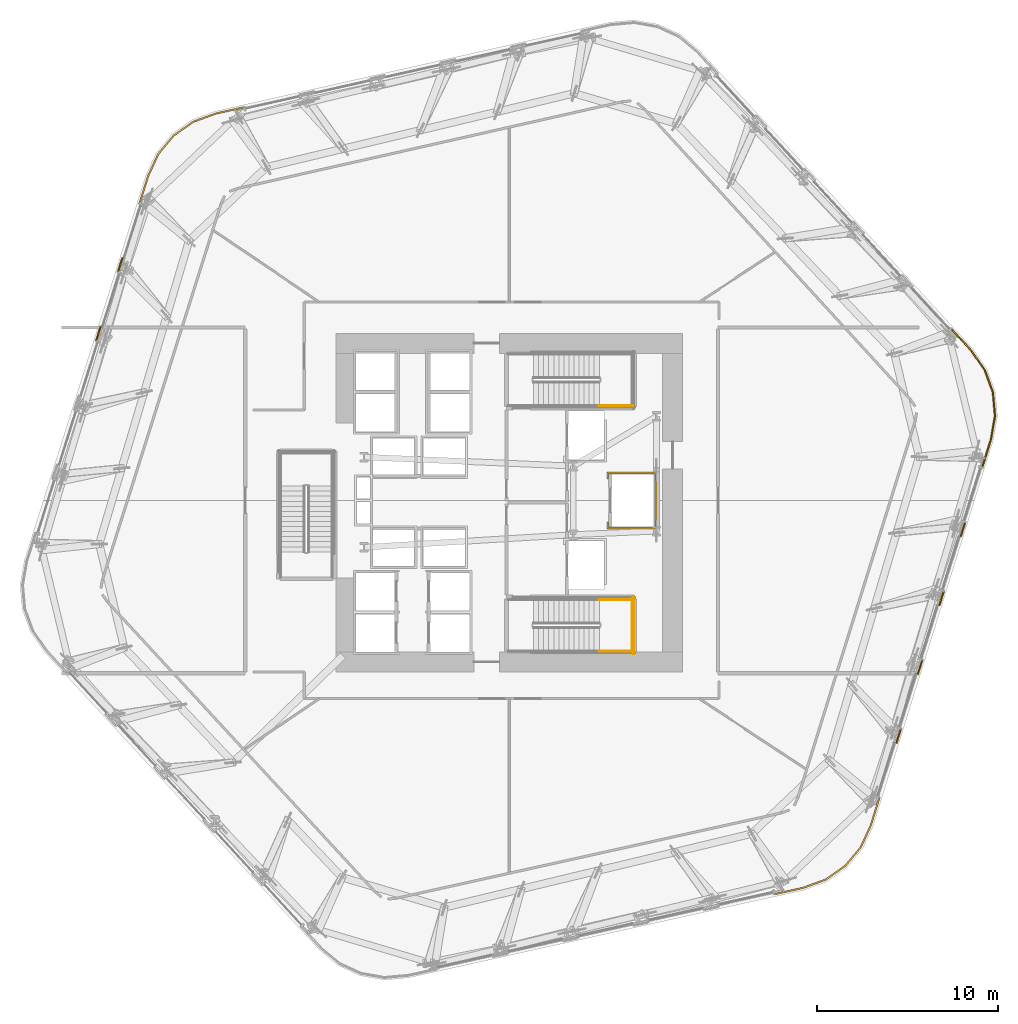
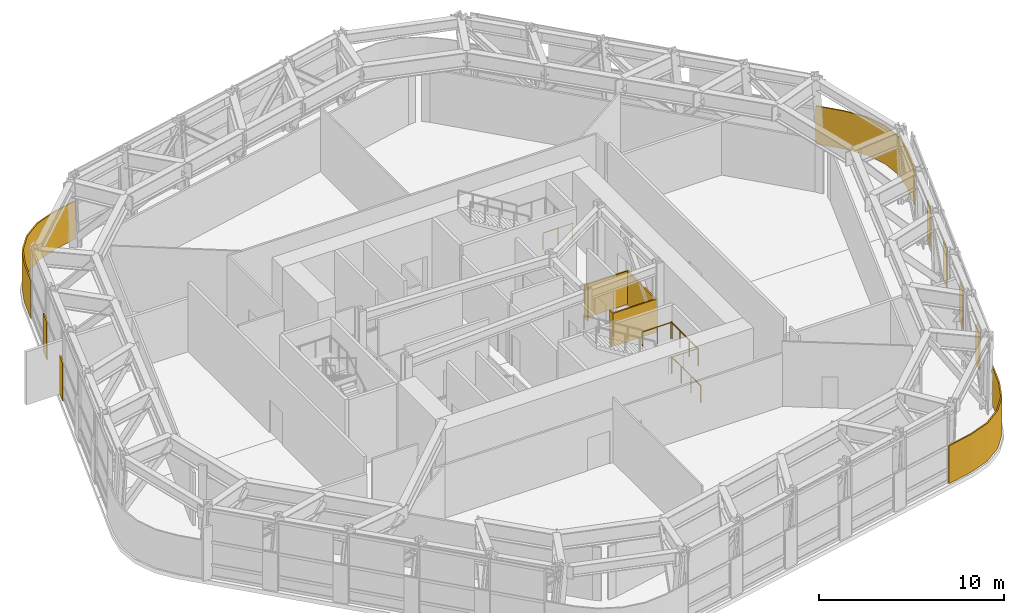
# One storey, part 14 of 16: 10 coverings, 5 railings.
"""IFC4 building model written with IfcOpenShell, lengths in metres."""

from ifc_helpers import new_model, si_unit, direction, frame, origin, origin_2d, place, context, subcontext, project, spatial, polyline, circle, outline, extrude, material, layer, layer_set, type_object, element, save


model = new_model("IFC4")

# Units and contexts
model_context = context("Model", 3, precision=1e-05, world=origin(), true_north=direction((0.0, 1.0)))
body_context = subcontext(model_context, "Body", "Model", "MODEL_VIEW")
ifc_project = project(units=[si_unit("LENGTHUNIT", "METRE"), si_unit("AREAUNIT", "SQUARE_METRE"), si_unit("VOLUMEUNIT", "CUBIC_METRE"), si_unit("PLANEANGLEUNIT", "RADIAN"), si_unit("MASSUNIT", "GRAM", prefix="KILO")], contexts=[model_context])

# Site, building, storey
site_placement = place(None, origin())
site = spatial("IfcSite", under=ifc_project, at=site_placement, CompositionType="ELEMENT")
building_placement = place(site_placement, origin())
building = spatial("IfcBuilding", under=site, at=building_placement, Name="Valkerne Bourse Tower", CompositionType="ELEMENT")
storey_placement = place(building_placement, frame((0.0, 0.0, 77.199951171875)))
storey = spatial("IfcBuildingStorey", under=building, at=storey_placement, Name="L19", CompositionType="ELEMENT", Elevation=77.199951171875)

# Coverings
ifc_material_1 = material(Name="Bronze Anodised Aluminium AA 6063-T6", Category="aluminium")
ifc_layer_1 = layer(ifc_material_1, 0.06005859375)
ifc_layer_set_1 = layer_set([ifc_layer_1], Name="Bronze Anodised Aluminium AA 6063-T6")
covering_type_1 = type_object("IfcCoveringType", Name="COV-CRN-ALUM", PredefinedType="CLADDING", material=ifc_layer_set_1)
covering_1_placement = place(storey_placement, origin())
element("IfcCovering", 1, at=covering_1_placement, inside=storey, type_object=covering_type_1, Name="L19 Wind-Shaped Corner Aluminium Cladding 01", PredefinedType="CLADDING", context=body_context, shape_type="SweptSolid", body=[
    extrude(outline(polyline([(66.2958984375, 7.748046875), (65.442138671875, 6.726806640625), (64.35302734375, 5.96142578125), (63.096923828125, 5.501708984375), (61.4912109375, 5.14599609375), (61.4736328125, 5.22412109375), (63.074462890625, 5.57861328125), (64.315673828125, 6.032958984375), (65.387451171875, 6.7861328125), (66.227783203125, 7.791259765625), (66.784423828125, 8.990234375), (67.271728515625, 10.5556640625), (67.34814453125, 10.531494140625), (66.859130859375, 8.96142578125), (66.2958984375, 7.748046875)])), origin(), (0.0, 0.0, 1.0), 2.5),
])
covering_2_placement = place(storey_placement, origin())
element("IfcCovering", 2, at=covering_2_placement, inside=storey, type_object=covering_type_1, Name="L19 Wind-Shaped Corner Aluminium Cladding 14", PredefinedType="CLADDING", context=body_context, shape_type="SweptSolid", body=[
    extrude(outline(polyline([(24.1337890625, 36.63720703125), (24.210205078125, 36.61328125), (23.95751953125, 35.81201171875), (23.881103515625, 35.836181640625), (24.1337890625, 36.63720703125)])), origin(), (0.0, 0.0, 1.0), 2.5),
])
covering_3_placement = place(storey_placement, origin())
element("IfcCovering", 3, at=covering_3_placement, inside=storey, type_object=covering_type_1, Name="L19 Wind-Shaped Corner Aluminium Cladding 15", PredefinedType="CLADDING", context=body_context, shape_type="SweptSolid", body=[
    extrude(outline(polyline([(25.335693359375, 40.447998046875), (25.411865234375, 40.42431640625), (25.1591796875, 39.623046875), (25.0830078125, 39.64697265625), (25.335693359375, 40.447998046875)])), origin(), (0.0, 0.0, 1.0), 2.5),
])
covering_4_placement = place(storey_placement, origin())
element("IfcCovering", 4, at=covering_4_placement, inside=storey, type_object=covering_type_1, Name="L19 Wind-Shaped Corner Aluminium Cladding 16", PredefinedType="CLADDING", context=body_context, shape_type="SweptSolid", body=[
    extrude(outline(polyline([(26.772216796875, 45.004150390625), (27.335693359375, 46.217529296875), (28.189453125, 47.23876953125), (29.278564453125, 48.004150390625), (30.534912109375, 48.464111328125), (32.1162109375, 48.820556640625), (32.1337890625, 48.742431640625), (30.5576171875, 48.38720703125), (29.31591796875, 47.9326171875), (28.244140625, 47.179443359375), (27.40380859375, 46.17431640625), (26.84716796875, 44.97509765625), (26.361083984375, 43.43408203125), (26.284912109375, 43.4580078125), (26.772216796875, 45.004150390625)])), origin(), (0.0, 0.0, 1.0), 2.5),
])
covering_5_placement = place(storey_placement, origin())
element("IfcCovering", 5, at=covering_5_placement, inside=storey, type_object=covering_type_1, Name="L19 Wind-Shaped Corner Aluminium Cladding 26", PredefinedType="CLADDING", context=body_context, shape_type="SweptSolid", body=[
    extrude(outline(polyline([(72.40576171875, 35.34228515625), (73.175048828125, 34.247802734375), (73.632568359375, 32.997802734375), (73.750732421875, 31.671875), (73.520751953125, 30.35400390625), (73.038818359375, 28.80615234375), (72.96240234375, 28.830078125), (73.44287109375, 30.372802734375), (73.670166015625, 31.67529296875), (73.5537109375, 32.980224609375), (73.103515625, 34.21044921875), (72.34326171875, 35.292236328125), (71.251708984375, 36.4833984375), (71.310791015625, 36.53759765625), (72.40576171875, 35.34228515625)])), origin(), (0.0, 0.0, 1.0), 2.5),
])
covering_6_placement = place(storey_placement, origin())
element("IfcCovering", 6, at=covering_6_placement, inside=storey, type_object=covering_type_1, Name="L19 Wind-Shaped Corner Aluminium Cladding 27", PredefinedType="CLADDING", context=body_context, shape_type="SweptSolid", body=[
    extrude(outline(polyline([(71.8505859375, 24.99072265625), (71.7744140625, 25.0146484375), (72.024169921875, 25.81689453125), (72.1005859375, 25.792724609375), (71.8505859375, 24.99072265625)])), origin(), (0.0, 0.0, 1.0), 2.5),
])
covering_7_placement = place(storey_placement, origin())
element("IfcCovering", 7, at=covering_7_placement, inside=storey, type_object=covering_type_1, Name="L19 Wind-Shaped Corner Aluminium Cladding 28", PredefinedType="CLADDING", context=body_context, shape_type="SweptSolid", body=[
    extrude(outline(polyline([(70.66259765625, 21.175537109375), (70.586181640625, 21.199462890625), (70.836181640625, 22.00146484375), (70.912353515625, 21.9775390625), (70.66259765625, 21.175537109375)])), origin(), (0.0, 0.0, 1.0), 2.5),
])
covering_8_placement = place(storey_placement, origin())
element("IfcCovering", 8, at=covering_8_placement, inside=storey, type_object=covering_type_1, Name="L19 Wind-Shaped Corner Aluminium Cladding 29", PredefinedType="CLADDING", context=body_context, shape_type="SweptSolid", body=[
    extrude(outline(polyline([(69.474609375, 17.360107421875), (69.398193359375, 17.384033203125), (69.64794921875, 18.186279296875), (69.724365234375, 18.162109375), (69.474609375, 17.360107421875)])), origin(), (0.0, 0.0, 1.0), 2.5),
])
covering_9_placement = place(storey_placement, origin())
element("IfcCovering", 9, at=covering_9_placement, inside=storey, type_object=covering_type_1, Name="L19 Wind-Shaped Corner Aluminium Cladding 30", PredefinedType="CLADDING", context=body_context, shape_type="SweptSolid", body=[
    extrude(outline(polyline([(68.28662109375, 13.544921875), (68.210205078125, 13.56884765625), (68.4599609375, 14.370849609375), (68.536376953125, 14.346923828125), (68.28662109375, 13.544921875)])), origin(), (0.0, 0.0, 1.0), 2.5),
])
ifc_material_2 = material(Name="Gypsum Shaftwall Liner Board", Category="gypsum")
ifc_layer_2 = layer(ifc_material_2, 0.080078125)
ifc_layer_set_2 = layer_set([ifc_layer_2], Name="Gypsum Shaftwall Liner Board")
covering_type_2 = type_object("IfcCoveringType", Name="COV-SHF-CLAD", PredefinedType="CLADDING", material=ifc_layer_set_2)
covering_10_placement = place(storey_placement, origin())
element("IfcCovering", 10, at=covering_10_placement, inside=storey, type_object=covering_type_2, Name="L19 Hoistway & Riser Shaftwall Liner 08", PredefinedType="CLADDING", context=body_context, shape_type="SweptSolid", body=[
    extrude(outline(polyline([(54.97998046875, 25.419921875), (52.219970703125, 25.419921875), (52.219970703125, 25.81787109375), (52.227783203125, 25.814208984375), (52.269287109375, 25.79931640625), (52.31005859375, 25.789306640625), (52.31005859375, 25.510009765625), (54.889892578125, 25.510009765625), (54.889892578125, 28.489990234375), (52.31005859375, 28.489990234375), (52.31005859375, 28.210693359375), (52.269287109375, 28.20068359375), (52.227783203125, 28.185791015625), (52.219970703125, 28.18212890625), (52.219970703125, 28.580078125), (54.97998046875, 28.580078125), (54.97998046875, 25.419921875)])), origin(), (0.0, 0.0, 1.0), 2.179931640625),
])

# Railings
ifc_material_3 = material(Name="Galvanised Painted Steel", Category="steel")
railing_type = type_object("IfcRailingType", Name="RLG-ST-GUARD-1120", PredefinedType="GUARDRAIL", material=ifc_material_3)
for number, where, name in (
    (11, (51.7900390625, 18.64990234375, 2.400146484375), "L19 ST-1 stair guard 3"),
    (12, (51.7900390625, 21.5, 2.400146484375), "L19 ST-1 stair guard 4"),
):
    element("IfcRailing", number, at=place(storey_placement, frame(where)), inside=storey, type_object=railing_type, Name=name, PredefinedType="GUARDRAIL", context=body_context, shape_type="SweptSolid", body=[
        extrude(circle(Radius=0.02392578125, at=origin_2d()), frame((0.0, 0.0, 1.09619140625), z_axis=(1.0, 0.0, 0.0), x_axis=(0.0, 1.0, 0.0)), (0.0, 0.0, 1.0), 1.85986328125),
        extrude(circle(Radius=0.02099609375, at=origin_2d()), origin(), (0.0, 0.0, 1.0), 1.072021484375),
        extrude(circle(Radius=0.02099609375, at=origin_2d()), frame((0.929931640625, 0.0, 0.0)), (0.0, 0.0, 1.0), 1.072021484375),
        extrude(circle(Radius=0.02099609375, at=origin_2d()), frame((1.85986328125, 0.0, 0.0)), (0.0, 0.0, 1.0), 1.072021484375),
    ])
railing_1_placement = place(storey_placement, frame((53.60009765625, 18.60009765625, 2.400146484375)))
element("IfcRailing", 13, at=railing_1_placement, inside=storey, type_object=railing_type, Name="L19 ST-1 stair guard 5", PredefinedType="GUARDRAIL", context=body_context, shape_type="SweptSolid", body=[
    extrude(circle(Radius=0.02392578125, at=origin_2d()), frame((0.0, 0.0, 1.09619140625), z_axis=(0.0, 1.0, 0.0), x_axis=(-1.0, 0.0, 0.0)), (0.0, 0.0, 1.0), 2.949951171875),
    extrude(circle(Radius=0.02099609375, at=origin_2d()), origin(), (0.0, 0.0, 1.0), 1.072021484375),
    extrude(circle(Radius=0.02099609375, at=origin_2d()), frame((0.0, 0.9833984375, 0.0)), (0.0, 0.0, 1.0), 1.072021484375),
    extrude(circle(Radius=0.02099609375, at=origin_2d()), frame((0.0, 1.966552734375, 0.0)), (0.0, 0.0, 1.0), 1.072021484375),
    extrude(circle(Radius=0.02099609375, at=origin_2d()), frame((0.0, 2.949951171875, 0.0)), (0.0, 0.0, 1.0), 1.072021484375),
])
railing_2_placement = place(storey_placement, frame((53.699951171875, 18.5, 0.0)))
element("IfcRailing", 14, at=railing_2_placement, inside=storey, type_object=railing_type, Name="L19 ST-1 stair guard 12", PredefinedType="GUARDRAIL", context=body_context, shape_type="SweptSolid", body=[
    extrude(circle(Radius=0.02392578125, at=origin_2d()), frame((0.0, 0.0, 1.09619140625), z_axis=(0.0, 1.0, 0.0), x_axis=(-1.0, 0.0, 0.0)), (0.0, 0.0, 1.0), 3.14990234375),
    extrude(circle(Radius=0.02099609375, at=origin_2d()), origin(), (0.0, 0.0, 1.0), 1.072021484375),
    extrude(circle(Radius=0.02099609375, at=origin_2d()), frame((0.0, 1.050048828125, 0.0)), (0.0, 0.0, 1.0), 1.072021484375),
    extrude(circle(Radius=0.02099609375, at=origin_2d()), frame((0.0, 2.099853515625, 0.0)), (0.0, 0.0, 1.0), 1.072021484375),
    extrude(circle(Radius=0.02099609375, at=origin_2d()), frame((0.0, 3.14990234375, 0.0)), (0.0, 0.0, 1.0), 1.072021484375),
])
railing_3_placement = place(storey_placement, frame((51.7900390625, 32.25, 2.400146484375)))
element("IfcRailing", 15, at=railing_3_placement, inside=storey, type_object=railing_type, Name="L19 ST-2 stair guard 3", PredefinedType="GUARDRAIL", context=body_context, shape_type="SweptSolid", body=[
    extrude(circle(Radius=0.02392578125, at=origin_2d()), frame((0.0, 0.0, 1.09619140625), z_axis=(1.0, 0.0, 0.0), x_axis=(0.0, 1.0, 0.0)), (0.0, 0.0, 1.0), 1.85986328125),
    extrude(circle(Radius=0.02099609375, at=origin_2d()), origin(), (0.0, 0.0, 1.0), 1.072021484375),
    extrude(circle(Radius=0.02099609375, at=origin_2d()), frame((0.929931640625, 0.0, 0.0)), (0.0, 0.0, 1.0), 1.072021484375),
    extrude(circle(Radius=0.02099609375, at=origin_2d()), frame((1.85986328125, 0.0, 0.0)), (0.0, 0.0, 1.0), 1.072021484375),
])

save(model, "model.ifc")
